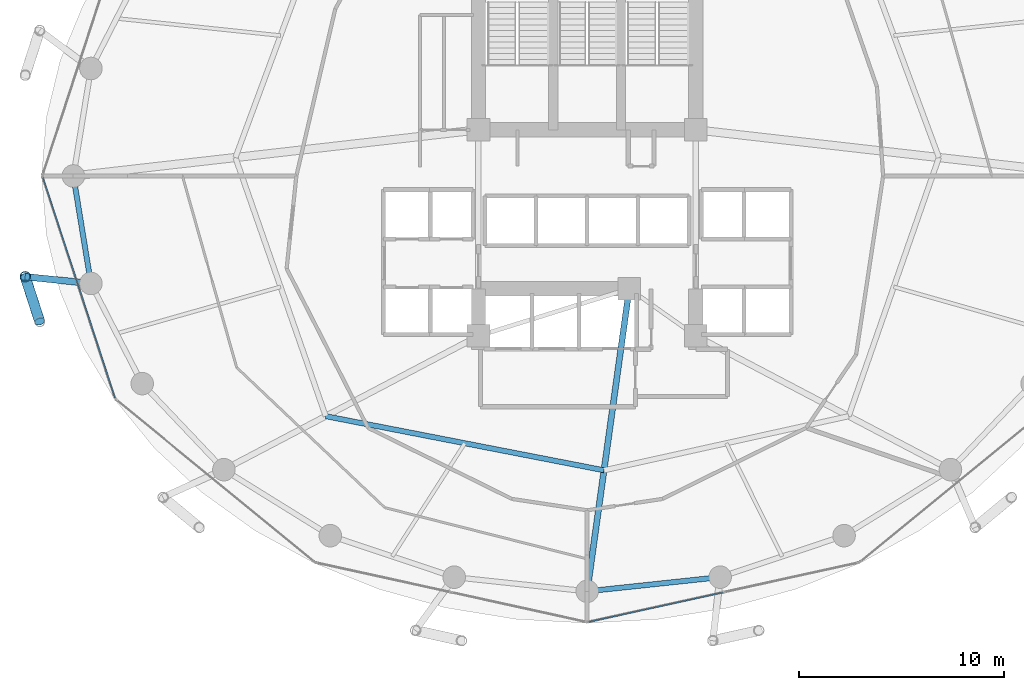
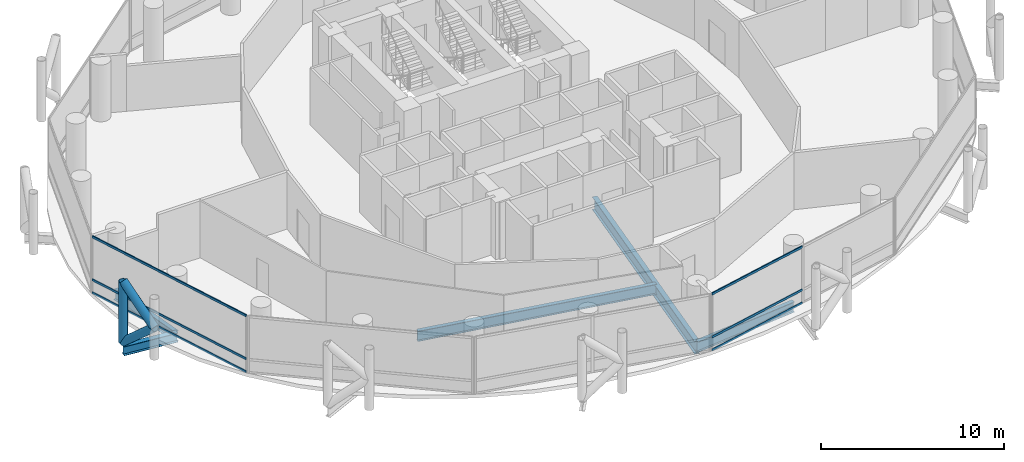
# One storey, part 5 of 24: 9 members, 5 beams, 2 elements without a shape of their own.
"""IFC4 building model written with IfcOpenShell, lengths in metres."""

from ifc_helpers import new_model, si_unit, direction, frame, origin, origin_2d, place, context, subcontext, project, spatial, hollow_rectangle, hollow_circle, i_section, extrude, material, layer, layer_set, material_profile, profile_set, type_object, element, aggregate, save


model = new_model("IFC4")

# Units and contexts
model_context = context("Model", 3, precision=1e-05, world=origin(), true_north=direction((0.0, 1.0)))
body_context = subcontext(model_context, "Body", "Model", "MODEL_VIEW")
ifc_project = project(units=[si_unit("LENGTHUNIT", "METRE"), si_unit("AREAUNIT", "SQUARE_METRE"), si_unit("VOLUMEUNIT", "CUBIC_METRE"), si_unit("PLANEANGLEUNIT", "RADIAN"), si_unit("MASSUNIT", "GRAM", prefix="KILO")], contexts=[model_context])

# Site, building, storey
site_placement = place(None, origin())
site = spatial("IfcSite", under=ifc_project, at=site_placement, CompositionType="ELEMENT")
building_placement = place(site_placement, origin())
building = spatial("IfcBuilding", under=site, at=building_placement, Name="Nuhasar Tower", CompositionType="ELEMENT")
storey_placement = place(building_placement, frame((0.0, 0.0, 77.699951171875)))
storey = spatial("IfcBuildingStorey", under=building, at=storey_placement, Name="L18", CompositionType="ELEMENT", Elevation=77.699951171875)

# Beams
ifc_material_1 = material(Name="Steel S355", Category="steel")
ifc_material_profile_1 = material_profile(ifc_material_1, i_section(OverallWidth=0.25390625, OverallDepth=0.68408203125, WebThickness=0.012451171875, FlangeThickness=0.018798828125, at=origin_2d()), Name="W27X94")
ifc_profile_set_1 = profile_set([ifc_material_profile_1], Name="Steel S355")
beam_type_1 = type_object("IfcBeamType", Name="BM-INRING-W27X94", PredefinedType="BEAM", material=ifc_profile_set_1)
beam_1_placement = place(storey_placement, frame((26.251953125, 15.089111328125, -0.592041015625), z_axis=(0.981602977761, -0.190933480695, 0.0), x_axis=(0.190933480695, 0.981602977761, 0.0)))
element("IfcBeam", 1, at=beam_1_placement, inside=storey, type_object=beam_type_1, Name="L18 Inner Header Beam 01", PredefinedType="BEAM", context=body_context, shape_type="SweptSolid", body=[
    extrude(i_section(OverallWidth=0.25390625, OverallDepth=0.68408203125, WebThickness=0.012451171875, FlangeThickness=0.018798828125, at=origin_2d()), origin(), (0.0, 0.0, 1.0), 13.822509765625),
])
ifc_material_profile_2 = material_profile(ifc_material_1, i_section(OverallWidth=0.2919921875, OverallDepth=0.85888671875, WebThickness=0.01708984375, FlangeThickness=0.031005859375, at=origin_2d()), Name="W33X169")
ifc_profile_set_2 = profile_set([ifc_material_profile_2], Name="Steel S355")
beam_type_2 = type_object("IfcBeamType", Name="BM-POD-W33X169", PredefinedType="BEAM", material=ifc_profile_set_2)
beam_2_placement = place(storey_placement, frame((41.050048828125, 21.300048828125, -0.679931640625), z_axis=(-0.137663087856, -0.990479113481, 0.0), x_axis=(0.990479113481, -0.137663087856, 0.0)))
element("IfcBeam", 2, at=beam_2_placement, inside=storey, type_object=beam_type_2, Name="L18 Radial Floor Girder 02", PredefinedType="BEAM", context=body_context, shape_type="SweptSolid", body=[
    extrude(i_section(OverallWidth=0.2919921875, OverallDepth=0.85888671875, WebThickness=0.01708984375, FlangeThickness=0.031005859375, at=origin_2d()), origin(), (0.0, 0.0, 1.0), 14.891845703125),
])
ifc_material_profile_3 = material_profile(ifc_material_1, i_section(OverallWidth=0.256103515625, OverallDepth=0.693115234375, WebThickness=0.014404296875, FlangeThickness=0.023681640625, at=origin_2d()), Name="W27X114")
ifc_profile_set_3 = profile_set([ifc_material_profile_3], Name="Steel S355")
beam_type_3 = type_object("IfcBeamType", Name="BM-RING-W27X114", PredefinedType="SPANDREL", material=ifc_profile_set_3)
beam_3_placement = place(storey_placement, frame((13.949951171875, 26.800048828125, -0.596923828125), z_axis=(0.160826635486, -0.986982671235, 0.0), x_axis=(0.986982671235, 0.160826635486, 0.0)))
element("IfcBeam", 3, at=beam_3_placement, inside=storey, type_object=beam_type_3, Name="L18 Perimeter Ring Spandrel 13", PredefinedType="SPANDREL", context=body_context, shape_type="SweptSolid", body=[
    extrude(i_section(OverallWidth=0.256103515625, OverallDepth=0.693115234375, WebThickness=0.014404296875, FlangeThickness=0.023681640625, at=origin_2d()), origin(), (0.0, 0.0, 1.0), 5.31005859375),
])
beam_4_placement = place(storey_placement, frame((39.0, 6.550048828125, -0.596923828125), z_axis=(0.994384554061, 0.105827022286, 0.0), x_axis=(-0.105827022286, 0.994384554061, 0.0)))
element("IfcBeam", 4, at=beam_4_placement, inside=storey, type_object=beam_type_3, Name="L18 Perimeter Ring Spandrel 19", PredefinedType="SPANDREL", context=body_context, shape_type="SweptSolid", body=[
    extrude(i_section(OverallWidth=0.256103515625, OverallDepth=0.693115234375, WebThickness=0.014404296875, FlangeThickness=0.023681640625, at=origin_2d()), origin(), (0.0, 0.0, 1.0), 6.51953125),
])
ifc_material_profile_4 = material_profile(ifc_material_1, i_section(OverallWidth=0.323974609375, OverallDepth=0.611083984375, WebThickness=0.0126953125, FlangeThickness=0.01904296875, at=origin_2d()), Name="W24X104")
ifc_profile_set_4 = profile_set([ifc_material_profile_4], Name="Steel S355")
beam_type_4 = type_object("IfcBeamType", Name="BM-TIE-W24X104", PredefinedType="BEAM", material=ifc_profile_set_4)
beam_5_placement = place(storey_placement, frame((14.803955078125, 21.55908203125, -0.554931640625), z_axis=(-0.994711572359, 0.102707778751, 0.0), x_axis=(-0.102707778751, -0.994711572359, 0.0)))
element("IfcBeam", 5, at=beam_5_placement, inside=storey, type_object=beam_type_4, Name="L18 Exoskeleton Node Tie Beam 07", PredefinedType="BEAM", context=body_context, shape_type="SweptSolid", body=[
    extrude(i_section(OverallWidth=0.323974609375, OverallDepth=0.611083984375, WebThickness=0.0126953125, FlangeThickness=0.01904296875, at=origin_2d()), origin(), (0.0, 0.0, 1.0), 3.220947265625),
])

# Curtain wall, members
ifc_material_2 = material(Name="Aluminium 6063-T6", Category="aluminium")
ifc_layer = layer(ifc_material_2, 0.199951171875)
ifc_layer_set = layer_set([ifc_layer], Name="Aluminium 6063-T6")
curtain_wall_type = type_object("IfcCurtainWallType", Name="CW-Z1-OFF", PredefinedType="NOTDEFINED", material=ifc_layer_set)
curtain_wall_1_placement = place(storey_placement, origin())
curtain_wall_1 = element("IfcCurtainWall", 6, at=curtain_wall_1_placement, inside=storey, type_object=curtain_wall_type, Name="L18 Unitised Curtain Wall 07", PredefinedType="NOTDEFINED")
ifc_material_profile_5 = material_profile(ifc_material_2, hollow_rectangle(XDim=0.06494140625, YDim=0.14990234375, WallThickness=0.00439453125, at=origin_2d()), Name="CWT-2")
ifc_profile_set_5 = profile_set([ifc_material_profile_5], Name="Aluminium 6063-T6")
member_type_1 = type_object("IfcMemberType", Name="CW-TRN-S2", PredefinedType="USERDEFINED", material=ifc_profile_set_5)
member_1_placement = place(storey_placement, frame((12.460205078125, 26.73828125, 0.032470703125), z_axis=(0.310818687697, -0.950469222741, 0.0), x_axis=(0.950469222741, 0.310818687697, 0.0)))
member_1 = element("IfcMember", 7, at=member_1_placement, type_object=member_type_1, Name="CW-Z1 transom 1.1", ObjectType="TRANSOM", PredefinedType="USERDEFINED", context=body_context, shape_type="SweptSolid", body=[
    extrude(hollow_rectangle(XDim=0.06494140625, YDim=0.14990234375, WallThickness=0.00439453125, at=origin_2d()), origin(), (0.0, 0.0, 1.0), 11.317138671875),
])
member_2_placement = place(storey_placement, frame((12.460205078125, 26.73828125, 0.900146484375), z_axis=(0.310818687697, -0.950469222741, 0.0), x_axis=(0.950469222741, 0.310818687697, 0.0)))
member_2 = element("IfcMember", 8, at=member_2_placement, type_object=member_type_1, Name="CW-Z1 transom 1.2", ObjectType="TRANSOM", PredefinedType="USERDEFINED", context=body_context, shape_type="SweptSolid", body=[
    extrude(hollow_rectangle(XDim=0.06494140625, YDim=0.14990234375, WallThickness=0.00439453125, at=origin_2d()), origin(), (0.0, 0.0, 1.0), 11.317138671875),
])
member_3_placement = place(storey_placement, frame((12.460205078125, 26.73828125, 3.767578125), z_axis=(0.310818687697, -0.950469222741, 0.0), x_axis=(0.950469222741, 0.310818687697, 0.0)))
member_3 = element("IfcMember", 9, at=member_3_placement, type_object=member_type_1, Name="CW-Z1 transom 1.3", ObjectType="TRANSOM", PredefinedType="USERDEFINED", context=body_context, shape_type="SweptSolid", body=[
    extrude(hollow_rectangle(XDim=0.06494140625, YDim=0.14990234375, WallThickness=0.00439453125, at=origin_2d()), origin(), (0.0, 0.0, 1.0), 11.317138671875),
])
aggregate(curtain_wall_1, [member_1, member_2, member_3])

curtain_wall_2_placement = place(storey_placement, origin())
curtain_wall_2 = element("IfcCurtainWall", 10, at=curtain_wall_2_placement, inside=storey, type_object=curtain_wall_type, Name="L18 Unitised Curtain Wall 10", PredefinedType="NOTDEFINED")
member_4_placement = place(storey_placement, frame((39.0634765625, 5.053955078125, 0.032470703125), z_axis=(0.976747879138, 0.214391185916, 0.0), x_axis=(-0.214391185916, 0.976747879138, 0.0)))
member_4 = element("IfcMember", 11, at=member_4_placement, type_object=member_type_1, Name="CW-Z1 transom 1.1", ObjectType="TRANSOM", PredefinedType="USERDEFINED", context=body_context, shape_type="SweptSolid", body=[
    extrude(hollow_rectangle(XDim=0.06494140625, YDim=0.14990234375, WallThickness=0.00439453125, at=origin_2d()), origin(), (0.0, 0.0, 1.0), 6.700439453125),
])
member_5_placement = place(storey_placement, frame((39.0634765625, 5.053955078125, 0.900146484375), z_axis=(0.976747879138, 0.214391185916, 0.0), x_axis=(-0.214391185916, 0.976747879138, 0.0)))
member_5 = element("IfcMember", 12, at=member_5_placement, type_object=member_type_1, Name="CW-Z1 transom 1.2", ObjectType="TRANSOM", PredefinedType="USERDEFINED", context=body_context, shape_type="SweptSolid", body=[
    extrude(hollow_rectangle(XDim=0.06494140625, YDim=0.14990234375, WallThickness=0.00439453125, at=origin_2d()), origin(), (0.0, 0.0, 1.0), 6.700439453125),
])
member_6_placement = place(storey_placement, frame((39.0634765625, 5.053955078125, 3.767578125), z_axis=(0.976747879138, 0.214391185916, 0.0), x_axis=(-0.214391185916, 0.976747879138, 0.0)))
member_6 = element("IfcMember", 13, at=member_6_placement, type_object=member_type_1, Name="CW-Z1 transom 1.3", ObjectType="TRANSOM", PredefinedType="USERDEFINED", context=body_context, shape_type="SweptSolid", body=[
    extrude(hollow_rectangle(XDim=0.06494140625, YDim=0.14990234375, WallThickness=0.00439453125, at=origin_2d()), origin(), (0.0, 0.0, 1.0), 6.700439453125),
])
aggregate(curtain_wall_2, [member_4, member_5, member_6])

# Members
ifc_material_3 = material(Name="Steel S460", Category="steel")
ifc_material_profile_6 = material_profile(ifc_material_3, hollow_circle(Radius=0.25390625, WallThickness=0.025390625, at=origin_2d()), Name="HSS508X25.4")
ifc_profile_set_6 = profile_set([ifc_material_profile_6], Name="Steel S460")
member_type_2 = type_object("IfcMemberType", Name="EXO-BRONZE-508", PredefinedType="BRACE", material=ifc_profile_set_6)
member_7_placement = place(storey_placement, frame((11.60009765625, 21.889892578125, 0.0), z_axis=(0.0, 0.0, 1.0), x_axis=(1.0, 0.0, 0.0)))
element("IfcMember", 14, at=member_7_placement, inside=storey, type_object=member_type_2, Name="L18 Exoskeleton Chord Column EC-07A", PredefinedType="BRACE", context=body_context, shape_type="SweptSolid", body=[
    extrude(hollow_circle(Radius=0.25390625, WallThickness=0.025390625, at=origin_2d()), origin(), (0.0, 0.0, 1.0), 4.050048828125),
])
member_8_placement = place(storey_placement, frame((11.60009765625, 21.889892578125, 0.0), z_axis=(0.230999678299, -0.714187281251, 0.660738734997), x_axis=(0.951468282519, 0.307746823478, 0.0)))
element("IfcMember", 15, at=member_8_placement, inside=storey, type_object=member_type_2, Name="L18 Bronze Diagrid Brace W1-07", PredefinedType="BRACE", context=body_context, shape_type="SweptSolid", body=[
    extrude(hollow_circle(Radius=0.25390625, WallThickness=0.025390625, at=origin_2d()), origin(), (0.0, 0.0, 1.0), 3.06494140625),
])
member_9_placement = place(storey_placement, frame((12.30810546875, 19.700927734375, 2.025146484375), z_axis=(-0.231011836313, 0.714224870475, 0.660693851854), x_axis=(-0.951468282519, -0.307746823478, 0.0)))
element("IfcMember", 16, at=member_9_placement, inside=storey, type_object=member_type_2, Name="L18 Bronze Diagrid Brace W2-07", PredefinedType="BRACE", context=body_context, shape_type="SweptSolid", body=[
    extrude(hollow_circle(Radius=0.25390625, WallThickness=0.025390625, at=origin_2d()), origin(), (0.0, 0.0, 1.0), 3.064697265625),
])

save(model, "model.ifc")
